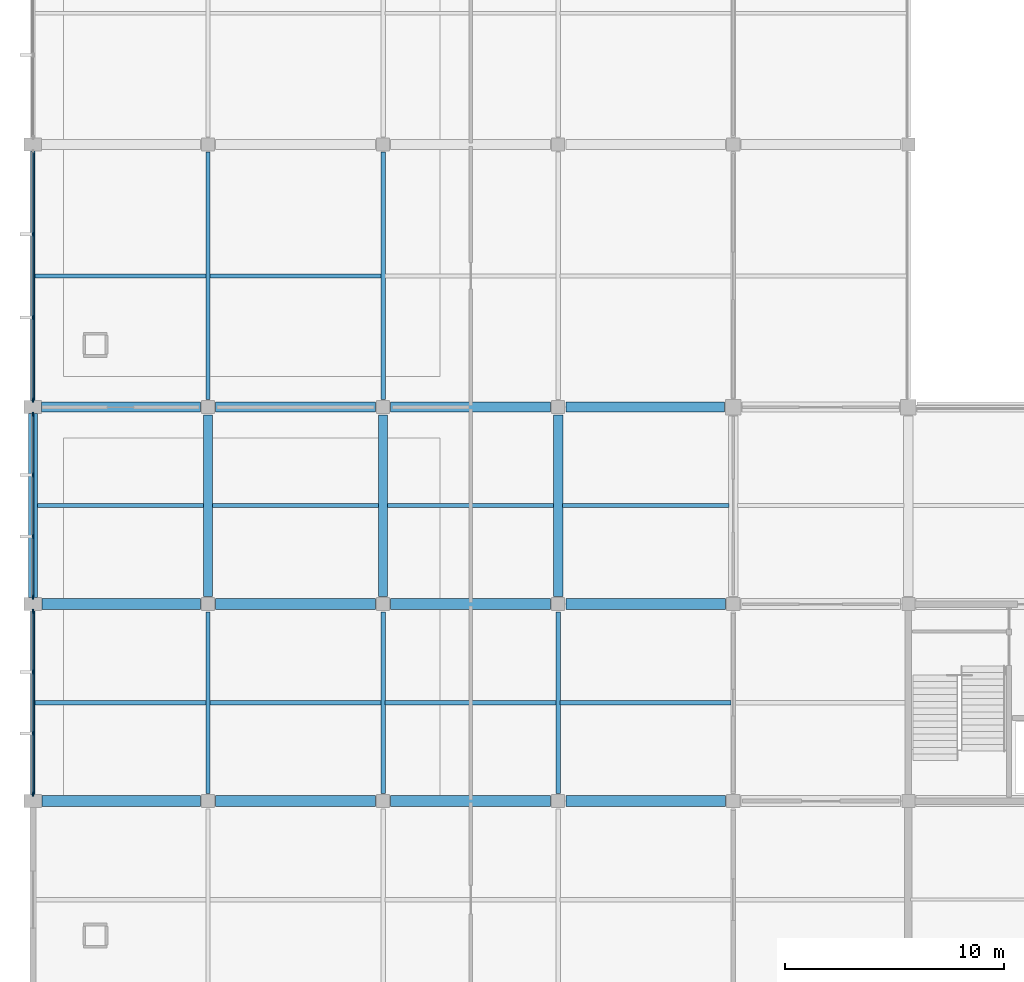
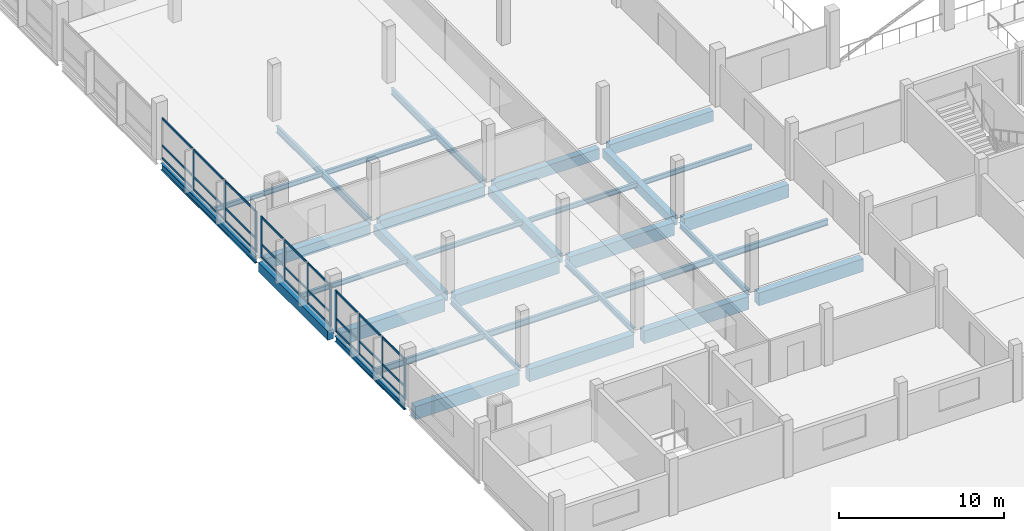
# One storey, part 7 of 57: 38 members, 33 beams, 3 elements without a shape of their own.
"""IFC4 building model written with IfcOpenShell, lengths in metres."""

from ifc_helpers import new_model, si_unit, direction, frame, origin, origin_2d, place, context, subcontext, project, spatial, rectangle, i_section, extrude, material, material_profile, profile_set, type_object, element, aggregate, save


model = new_model("IFC4")

# Units and contexts
model_context = context("Model", 3, precision=1e-05, world=origin(), true_north=direction((0.0, 1.0)))
body_context = subcontext(model_context, "Body", "Model", "MODEL_VIEW")
ifc_project = project(units=[si_unit("LENGTHUNIT", "METRE"), si_unit("AREAUNIT", "SQUARE_METRE"), si_unit("VOLUMEUNIT", "CUBIC_METRE"), si_unit("PLANEANGLEUNIT", "RADIAN"), si_unit("MASSUNIT", "GRAM", prefix="KILO"), si_unit("THERMODYNAMICTEMPERATUREUNIT", "KELVIN"), si_unit("POWERUNIT", "WATT")], contexts=[model_context])

# Site, building, storey
site_placement = place(None, origin())
site = spatial("IfcSite", under=ifc_project, at=site_placement, CompositionType="ELEMENT")
building_placement = place(site_placement, origin())
building = spatial("IfcBuilding", under=site, at=building_placement, Name="Kronsvod Quay Wholesale Market", CompositionType="ELEMENT")
storey_placement = place(building_placement, frame((0.0, 0.0, 4.800048828125)))
storey = spatial("IfcBuildingStorey", under=building, at=storey_placement, Name="L01", CompositionType="ELEMENT", Elevation=4.800048828125)

# Beams
ifc_material_1 = material(Name="Precast concrete C40/50", Category="concrete")
ifc_material_profile_1 = material_profile(ifc_material_1, rectangle(XDim=0.419921875, YDim=0.679931640625, at=origin_2d()), Name="PB-05")
ifc_profile_set_1 = profile_set([ifc_material_profile_1], Name="Precast concrete C40/50")
beam_type_1 = type_object("IfcBeamType", Name="Beam_PCB420x680", PredefinedType="BEAM", material=ifc_profile_set_1)
beam_1_placement = place(storey_placement, frame((0.0, 45.31005859375, -0.64013671875), z_axis=(0.0, 1.0, 0.0), x_axis=(-1.0, 0.0, 0.0)))
element("IfcBeam", 1, at=beam_1_placement, inside=storey, type_object=beam_type_1, Name="BMY-L01-0-450", PredefinedType="BEAM", context=body_context, shape_type="SweptSolid", body=[
    extrude(rectangle(XDim=0.419921875, YDim=0.679931640625, at=origin_2d()), origin(), (0.0, 0.0, 1.0), 8.389892578125),
])
for number, where, z_axis, x_axis, name in (
    (2, (8.0, 45.35009765625, -0.64013671875), (0.0, 1.0, 0.0), (-1.0, 0.0, 0.0), "BMY-L01-80-450"),
    (3, (16.0, 45.35009765625, -0.64013671875), (0.0, 1.0, 0.0), (-1.0, 0.0, 0.0), "BMY-L01-160-450"),
    (4, (24.0, 45.35009765625, -0.64013671875), (0.0, 1.0, 0.0), (-1.0, 0.0, 0.0), "BMY-L01-240-450"),
):
    element("IfcBeam", number, at=place(storey_placement, frame(where, z_axis=z_axis, x_axis=x_axis)), inside=storey, type_object=beam_type_1, Name=name, PredefinedType="BEAM", context=body_context, shape_type="SweptSolid", body=[
        extrude(rectangle(XDim=0.419921875, YDim=0.679931640625, at=origin_2d()), origin(), (0.0, 0.0, 1.0), 8.2998046875),
    ])
ifc_material_2 = material(Name="Precast concrete C40/50", Category="concrete")
ifc_material_profile_2 = material_profile(ifc_material_2, rectangle(XDim=0.4599609375, YDim=0.780029296875, at=origin_2d()), Name="PB-03")
ifc_profile_set_2 = profile_set([ifc_material_profile_2], Name="Precast concrete C40/50")
beam_type_2 = type_object("IfcBeamType", Name="Beam_PCB460x780", PredefinedType="BEAM", material=ifc_profile_set_2)
beam_2_placement = place(storey_placement, frame((0.39990234375, 54.0, -0.68994140625), z_axis=(1.0, 0.0, 0.0), x_axis=(0.0, 1.0, 0.0)))
element("IfcBeam", 5, at=beam_2_placement, inside=storey, type_object=beam_type_2, Name="BMX-L01-0-540", PredefinedType="BEAM", context=body_context, shape_type="SweptSolid", body=[
    extrude(rectangle(XDim=0.4599609375, YDim=0.780029296875, at=origin_2d()), origin(), (0.0, 0.0, 1.0), 7.25),
])
for number, where, z_axis, x_axis, name in (
    (6, (8.35009765625, 54.0, -0.68994140625), (1.0, 0.0, 0.0), (0.0, 1.0, 0.0), "BMX-L01-80-540"),
    (7, (16.35009765625, 54.0, -0.68994140625), (1.0, 0.0, 0.0), (0.0, 1.0, 0.0), "BMX-L01-160-540"),
):
    element("IfcBeam", number, at=place(storey_placement, frame(where, z_axis=z_axis, x_axis=x_axis)), inside=storey, type_object=beam_type_2, Name=name, PredefinedType="BEAM", context=body_context, shape_type="SweptSolid", body=[
        extrude(rectangle(XDim=0.4599609375, YDim=0.780029296875, at=origin_2d()), origin(), (0.0, 0.0, 1.0), 7.2998046875),
    ])
beam_3_placement = place(storey_placement, frame((24.35009765625, 54.0, -0.68994140625), z_axis=(1.0, 0.0, 0.0), x_axis=(0.0, 1.0, 0.0)))
element("IfcBeam", 8, at=beam_3_placement, inside=storey, type_object=beam_type_2, Name="BMX-L01-240-540", PredefinedType="BEAM", context=body_context, shape_type="SweptSolid", body=[
    extrude(rectangle(XDim=0.4599609375, YDim=0.780029296875, at=origin_2d()), origin(), (0.0, 0.0, 1.0), 7.25),
])
ifc_material_3 = material(Name="Steel S355", Category="steel")
ifc_material_profile_3 = material_profile(ifc_material_3, i_section(OverallWidth=0.199951171875, OverallDepth=0.39990234375, WebThickness=0.008056640625, FlangeThickness=0.012939453125, FilletRadius=0.01611328125, at=origin_2d()), Name="40B2")
ifc_profile_set_3 = profile_set([ifc_material_profile_3], Name="Steel S355")
beam_type_3 = type_object("IfcBeamType", Name="Beam_Steel40B2", PredefinedType="BEAM", material=ifc_profile_set_3)
beam_4_placement = place(storey_placement, frame((0.0, 36.31005859375, -0.5), z_axis=(0.0, 1.0, 0.0), x_axis=(-1.0, 0.0, 0.0)))
element("IfcBeam", 9, at=beam_4_placement, inside=storey, type_object=beam_type_3, Name="BMY-L01-0-360", PredefinedType="BEAM", context=body_context, shape_type="SweptSolid", body=[
    extrude(i_section(OverallWidth=0.199951171875, OverallDepth=0.39990234375, WebThickness=0.008056640625, FlangeThickness=0.012939453125, FilletRadius=0.01611328125, at=origin_2d()), origin(), (0.0, 0.0, 1.0), 8.3798828125),
])
for number, where, z_axis, x_axis, name in (
    (10, (8.0, 36.35009765625, -0.5), (0.0, 1.0, 0.0), (-1.0, 0.0, 0.0), "BMY-L01-80-360"),
    (11, (16.0, 36.35009765625, -0.5), (0.0, 1.0, 0.0), (-1.0, 0.0, 0.0), "BMY-L01-160-360"),
    (12, (24.0, 36.35009765625, -0.5), (0.0, 1.0, 0.0), (-1.0, 0.0, 0.0), "BMY-L01-240-360"),
):
    element("IfcBeam", number, at=place(storey_placement, frame(where, z_axis=z_axis, x_axis=x_axis)), inside=storey, type_object=beam_type_3, Name=name, PredefinedType="BEAM", context=body_context, shape_type="SweptSolid", body=[
        extrude(i_section(OverallWidth=0.199951171875, OverallDepth=0.39990234375, WebThickness=0.008056640625, FlangeThickness=0.012939453125, FilletRadius=0.01611328125, at=origin_2d()), origin(), (0.0, 0.0, 1.0), 8.2998046875),
    ])
ifc_material_4 = material(Name="Steel S355", Category="steel")
ifc_material_profile_4 = material_profile(ifc_material_4, i_section(OverallWidth=0.199951171875, OverallDepth=0.449951171875, WebThickness=0.009033203125, FlangeThickness=0.013916015625, FilletRadius=0.01806640625, at=origin_2d()), Name="45B2")
ifc_profile_set_4 = profile_set([ifc_material_profile_4], Name="Steel S355")
beam_type_4 = type_object("IfcBeamType", Name="Beam_Steel45B2", PredefinedType="BEAM", material=ifc_profile_set_4)
for number, where, z_axis, x_axis, name in (
    (13, (0.094970703125, 40.5, -0.525146484375), (1.0, 0.0, 0.0), (0.0, 1.0, 0.0), "JSTX-L01-0-360"),
    (14, (8.094970703125, 40.5, -0.525146484375), (1.0, 0.0, 0.0), (0.0, 1.0, 0.0), "JSTX-L01-80-360"),
    (15, (16.094970703125, 40.5, -0.525146484375), (1.0, 0.0, 0.0), (0.0, 1.0, 0.0), "JSTX-L01-160-360"),
    (16, (24.094970703125, 40.5, -0.525146484375), (1.0, 0.0, 0.0), (0.0, 1.0, 0.0), "JSTX-L01-240-360"),
):
    element("IfcBeam", number, at=place(storey_placement, frame(where, z_axis=z_axis, x_axis=x_axis)), inside=storey, type_object=beam_type_4, Name=name, PredefinedType="BEAM", context=body_context, shape_type="SweptSolid", body=[
        extrude(i_section(OverallWidth=0.199951171875, OverallDepth=0.449951171875, WebThickness=0.009033203125, FlangeThickness=0.013916015625, FilletRadius=0.01806640625, at=origin_2d()), origin(), (0.0, 0.0, 1.0), 7.81005859375),
    ])
ifc_material_5 = material(Name="Precast concrete C40/50", Category="concrete")
ifc_material_profile_5 = material_profile(ifc_material_5, rectangle(XDim=0.5, YDim=0.949951171875, at=origin_2d()), Name="PCB500x950")
ifc_profile_set_5 = profile_set([ifc_material_profile_5], Name="Precast concrete C40/50")
beam_type_5 = type_object("IfcBeamType", Name="Girder_PCB500x950", PredefinedType="T_BEAM", material=ifc_profile_set_5)
beam_5_placement = place(storey_placement, frame((0.409912109375, 36.0, -0.775146484375), z_axis=(1.0, 0.0, 0.0), x_axis=(0.0, 1.0, 0.0)))
element("IfcBeam", 17, at=beam_5_placement, inside=storey, type_object=beam_type_5, Name="BMX-L01-0-360", PredefinedType="T_BEAM", context=body_context, shape_type="SweptSolid", body=[
    extrude(rectangle(XDim=0.5, YDim=0.949951171875, at=origin_2d()), origin(), (0.0, 0.0, 1.0), 7.239990234375),
])
for number, where, z_axis, x_axis, name in (
    (18, (8.35009765625, 36.0, -0.775146484375), (1.0, 0.0, 0.0), (0.0, 1.0, 0.0), "BMX-L01-80-360"),
    (19, (16.35009765625, 36.0, -0.775146484375), (1.0, 0.0, 0.0), (0.0, 1.0, 0.0), "BMX-L01-160-360"),
    (20, (24.35009765625, 36.0, -0.775146484375), (1.0, 0.0, 0.0), (0.0, 1.0, 0.0), "BMX-L01-240-360"),
):
    element("IfcBeam", number, at=place(storey_placement, frame(where, z_axis=z_axis, x_axis=x_axis)), inside=storey, type_object=beam_type_5, Name=name, PredefinedType="T_BEAM", context=body_context, shape_type="SweptSolid", body=[
        extrude(rectangle(XDim=0.5, YDim=0.949951171875, at=origin_2d()), origin(), (0.0, 0.0, 1.0), 7.2998046875),
    ])
beam_6_placement = place(storey_placement, frame((0.409912109375, 45.0, -0.775146484375), z_axis=(1.0, 0.0, 0.0), x_axis=(0.0, 1.0, 0.0)))
element("IfcBeam", 21, at=beam_6_placement, inside=storey, type_object=beam_type_5, Name="BMX-L01-0-450", PredefinedType="T_BEAM", context=body_context, shape_type="SweptSolid", body=[
    extrude(rectangle(XDim=0.5, YDim=0.949951171875, at=origin_2d()), origin(), (0.0, 0.0, 1.0), 7.239990234375),
])
for number, where, z_axis, x_axis, name in (
    (22, (8.35009765625, 45.0, -0.775146484375), (1.0, 0.0, 0.0), (0.0, 1.0, 0.0), "BMX-L01-80-450"),
    (23, (16.35009765625, 45.0, -0.775146484375), (1.0, 0.0, 0.0), (0.0, 1.0, 0.0), "BMX-L01-160-450"),
    (24, (24.35009765625, 45.0, -0.775146484375), (1.0, 0.0, 0.0), (0.0, 1.0, 0.0), "BMX-L01-240-450"),
):
    element("IfcBeam", number, at=place(storey_placement, frame(where, z_axis=z_axis, x_axis=x_axis)), inside=storey, type_object=beam_type_5, Name=name, PredefinedType="T_BEAM", context=body_context, shape_type="SweptSolid", body=[
        extrude(rectangle(XDim=0.5, YDim=0.949951171875, at=origin_2d()), origin(), (0.0, 0.0, 1.0), 7.2998046875),
    ])
ifc_material_6 = material(Name="Steel S355", Category="steel")
ifc_material_profile_6 = material_profile(ifc_material_6, i_section(OverallWidth=0.198974609375, OverallDepth=0.49609375, WebThickness=0.009033203125, FlangeThickness=0.013916015625, FilletRadius=0.02001953125, at=origin_2d()), Name="50B1")
ifc_profile_set_6 = profile_set([ifc_material_profile_6], Name="Steel S355")
beam_type_6 = type_object("IfcBeamType", Name="Girder_Steel50B1", PredefinedType="T_BEAM", material=ifc_profile_set_6)
beam_7_placement = place(storey_placement, frame((0.0, 54.300048828125, -0.548095703125), z_axis=(0.0, 1.0, 0.0), x_axis=(-1.0, 0.0, 0.0)))
element("IfcBeam", 25, at=beam_7_placement, inside=storey, type_object=beam_type_6, Name="BMY-L01-0-540", PredefinedType="T_BEAM", context=body_context, shape_type="SweptSolid", body=[
    extrude(i_section(OverallWidth=0.198974609375, OverallDepth=0.49609375, WebThickness=0.009033203125, FlangeThickness=0.013916015625, FilletRadius=0.02001953125, at=origin_2d()), origin(), (0.0, 0.0, 1.0), 11.39990234375),
])
for number, where, z_axis, x_axis, name in (
    (26, (8.0, 54.35009765625, -0.548095703125), (0.0, 1.0, 0.0), (-1.0, 0.0, 0.0), "BMY-L01-80-540"),
    (27, (16.0, 54.35009765625, -0.548095703125), (0.0, 1.0, 0.0), (-1.0, 0.0, 0.0), "BMY-L01-160-540"),
):
    element("IfcBeam", number, at=place(storey_placement, frame(where, z_axis=z_axis, x_axis=x_axis)), inside=storey, type_object=beam_type_6, Name=name, PredefinedType="T_BEAM", context=body_context, shape_type="SweptSolid", body=[
        extrude(i_section(OverallWidth=0.198974609375, OverallDepth=0.49609375, WebThickness=0.009033203125, FlangeThickness=0.013916015625, FilletRadius=0.02001953125, at=origin_2d()), origin(), (0.0, 0.0, 1.0), 11.2998046875),
    ])
ifc_material_7 = material(Name="Steel S355", Category="steel")
ifc_material_profile_7 = material_profile(ifc_material_7, i_section(OverallWidth=0.175048828125, OverallDepth=0.35009765625, WebThickness=0.007080078125, FlangeThickness=0.010986328125, FilletRadius=0.013916015625, at=origin_2d()), Name="35B2")
ifc_profile_set_7 = profile_set([ifc_material_profile_7], Name="Steel S355")
beam_type_7 = type_object("IfcBeamType", Name="Joist_Steel35B2", PredefinedType="JOIST", material=ifc_profile_set_7)
beam_8_placement = place(storey_placement, frame((0.205078125, 49.5, -0.405029296875), z_axis=(1.0, 0.0, 0.0), x_axis=(0.0, 1.0, 0.0)))
element("IfcBeam", 28, at=beam_8_placement, inside=storey, type_object=beam_type_7, Name="JSTX-L01-0-450", PredefinedType="JOIST", context=body_context, shape_type="SweptSolid", body=[
    extrude(i_section(OverallWidth=0.175048828125, OverallDepth=0.35009765625, WebThickness=0.007080078125, FlangeThickness=0.010986328125, FilletRadius=0.013916015625, at=origin_2d()), origin(), (0.0, 0.0, 1.0), 7.58984375),
])
beam_9_placement = place(storey_placement, frame((0.094482421875, 60.0, -0.425048828125), z_axis=(1.0, 0.0, 0.0), x_axis=(0.0, 1.0, 0.0)))
element("IfcBeam", 29, at=beam_9_placement, inside=storey, type_object=beam_type_7, Name="JSTX-L01-0-540", PredefinedType="JOIST", context=body_context, shape_type="SweptSolid", body=[
    extrude(i_section(OverallWidth=0.175048828125, OverallDepth=0.35009765625, WebThickness=0.007080078125, FlangeThickness=0.010986328125, FilletRadius=0.013916015625, at=origin_2d()), origin(), (0.0, 0.0, 1.0), 7.81103515625),
])
beam_10_placement = place(storey_placement, frame((8.205078125, 49.5, -0.405029296875), z_axis=(1.0, 0.0, 0.0), x_axis=(0.0, 1.0, 0.0)))
element("IfcBeam", 30, at=beam_10_placement, inside=storey, type_object=beam_type_7, Name="JSTX-L01-80-450", PredefinedType="JOIST", context=body_context, shape_type="SweptSolid", body=[
    extrude(i_section(OverallWidth=0.175048828125, OverallDepth=0.35009765625, WebThickness=0.007080078125, FlangeThickness=0.010986328125, FilletRadius=0.013916015625, at=origin_2d()), origin(), (0.0, 0.0, 1.0), 7.58984375),
])
beam_11_placement = place(storey_placement, frame((8.094482421875, 60.0, -0.425048828125), z_axis=(1.0, 0.0, 0.0), x_axis=(0.0, 1.0, 0.0)))
element("IfcBeam", 31, at=beam_11_placement, inside=storey, type_object=beam_type_7, Name="JSTX-L01-80-540", PredefinedType="JOIST", context=body_context, shape_type="SweptSolid", body=[
    extrude(i_section(OverallWidth=0.175048828125, OverallDepth=0.35009765625, WebThickness=0.007080078125, FlangeThickness=0.010986328125, FilletRadius=0.013916015625, at=origin_2d()), origin(), (0.0, 0.0, 1.0), 7.81103515625),
])
for number, where, z_axis, x_axis, name in (
    (32, (16.205078125, 49.5, -0.405029296875), (1.0, 0.0, 0.0), (0.0, 1.0, 0.0), "JSTX-L01-160-450"),
    (33, (24.205078125, 49.5, -0.405029296875), (1.0, 0.0, 0.0), (0.0, 1.0, 0.0), "JSTX-L01-240-450"),
):
    element("IfcBeam", number, at=place(storey_placement, frame(where, z_axis=z_axis, x_axis=x_axis)), inside=storey, type_object=beam_type_7, Name=name, PredefinedType="JOIST", context=body_context, shape_type="SweptSolid", body=[
        extrude(i_section(OverallWidth=0.175048828125, OverallDepth=0.35009765625, WebThickness=0.007080078125, FlangeThickness=0.010986328125, FilletRadius=0.013916015625, at=origin_2d()), origin(), (0.0, 0.0, 1.0), 7.58984375),
    ])

# Curtain wall, members
ifc_material_8 = material(Name="Thermally broken aluminium and triple low-E glazing", Category="aluminium")
curtain_wall_type_1 = type_object("IfcCurtainWallType", Name="CW_Wing90x33", PredefinedType="NOTDEFINED", material=ifc_material_8)
curtain_wall_1_placement = place(storey_placement, origin())
curtain_wall_1 = element("IfcCurtainWall", 34, at=curtain_wall_1_placement, inside=storey, type_object=curtain_wall_type_1, Name="CWGY-L01-0-360", PredefinedType="NOTDEFINED")
ifc_material_9 = material(Name="Anodised aluminium", Category="aluminium")
ifc_material_profile_8 = material_profile(ifc_material_9, rectangle(XDim=0.074951171875, YDim=0.199951171875, at=origin_2d()), Name="ALUM75x200")
ifc_profile_set_8 = profile_set([ifc_material_profile_8], Name="Anodised aluminium")
member_type_1 = type_object("IfcMemberType", Name="Mullion_ALU75x200", PredefinedType="MULLION", material=ifc_profile_set_8)
member_1_placement = place(storey_placement, frame((0.0, 44.66748046875, 0.0), z_axis=(0.0, 0.0, 1.0), x_axis=(1.0, 0.0, 0.0)))
member_1 = element("IfcMember", 35, at=member_1_placement, type_object=member_type_1, Name="CWGY-L01-0-360-M1", PredefinedType="MULLION", context=body_context, shape_type="SweptSolid", body=[
    extrude(rectangle(XDim=0.074951171875, YDim=0.199951171875, at=origin_2d()), origin(), (0.0, 0.0, 1.0), 3.050048828125),
])
member_2_placement = place(storey_placement, frame((0.0, 41.901611328125, 0.0), z_axis=(0.0, 0.0, 1.0), x_axis=(1.0, 0.0, 0.0)))
member_2 = element("IfcMember", 36, at=member_2_placement, type_object=member_type_1, Name="CWGY-L01-0-360-M2", PredefinedType="MULLION", context=body_context, shape_type="SweptSolid", body=[
    extrude(rectangle(XDim=0.074951171875, YDim=0.199951171875, at=origin_2d()), origin(), (0.0, 0.0, 1.0), 3.050048828125),
])
member_3_placement = place(storey_placement, frame((0.0, 39.098388671875, 0.0), z_axis=(0.0, 0.0, 1.0), x_axis=(1.0, 0.0, 0.0)))
member_3 = element("IfcMember", 37, at=member_3_placement, type_object=member_type_1, Name="CWGY-L01-0-360-M3", PredefinedType="MULLION", context=body_context, shape_type="SweptSolid", body=[
    extrude(rectangle(XDim=0.074951171875, YDim=0.199951171875, at=origin_2d()), origin(), (0.0, 0.0, 1.0), 3.050048828125),
])
member_4_placement = place(storey_placement, frame((0.0, 36.33251953125, 0.0), z_axis=(0.0, 0.0, 1.0), x_axis=(1.0, 0.0, 0.0)))
member_4 = element("IfcMember", 38, at=member_4_placement, type_object=member_type_1, Name="CWGY-L01-0-360-M4", PredefinedType="MULLION", context=body_context, shape_type="SweptSolid", body=[
    extrude(rectangle(XDim=0.074951171875, YDim=0.199951171875, at=origin_2d()), origin(), (0.0, 0.0, 1.0), 3.050048828125),
])

curtain_wall_2_placement = place(storey_placement, origin())
curtain_wall_2 = element("IfcCurtainWall", 39, at=curtain_wall_2_placement, inside=storey, type_object=curtain_wall_type_1, Name="CWGY-L01-0-450", PredefinedType="NOTDEFINED")
member_5_placement = place(storey_placement, frame((0.0, 53.66748046875, 0.0), z_axis=(0.0, 0.0, 1.0), x_axis=(1.0, 0.0, 0.0)))
member_5 = element("IfcMember", 40, at=member_5_placement, type_object=member_type_1, Name="CWGY-L01-0-450-M1", PredefinedType="MULLION", context=body_context, shape_type="SweptSolid", body=[
    extrude(rectangle(XDim=0.074951171875, YDim=0.199951171875, at=origin_2d()), origin(), (0.0, 0.0, 1.0), 3.050048828125),
])
member_6_placement = place(storey_placement, frame((0.0, 50.901611328125, 0.0), z_axis=(0.0, 0.0, 1.0), x_axis=(1.0, 0.0, 0.0)))
member_6 = element("IfcMember", 41, at=member_6_placement, type_object=member_type_1, Name="CWGY-L01-0-450-M2", PredefinedType="MULLION", context=body_context, shape_type="SweptSolid", body=[
    extrude(rectangle(XDim=0.074951171875, YDim=0.199951171875, at=origin_2d()), origin(), (0.0, 0.0, 1.0), 3.050048828125),
])
member_7_placement = place(storey_placement, frame((0.0, 48.098388671875, 0.0), z_axis=(0.0, 0.0, 1.0), x_axis=(1.0, 0.0, 0.0)))
member_7 = element("IfcMember", 42, at=member_7_placement, type_object=member_type_1, Name="CWGY-L01-0-450-M3", PredefinedType="MULLION", context=body_context, shape_type="SweptSolid", body=[
    extrude(rectangle(XDim=0.074951171875, YDim=0.199951171875, at=origin_2d()), origin(), (0.0, 0.0, 1.0), 3.050048828125),
])
member_8_placement = place(storey_placement, frame((0.0, 45.33251953125, 0.0), z_axis=(0.0, 0.0, 1.0), x_axis=(1.0, 0.0, 0.0)))
member_8 = element("IfcMember", 43, at=member_8_placement, type_object=member_type_1, Name="CWGY-L01-0-450-M4", PredefinedType="MULLION", context=body_context, shape_type="SweptSolid", body=[
    extrude(rectangle(XDim=0.074951171875, YDim=0.199951171875, at=origin_2d()), origin(), (0.0, 0.0, 1.0), 3.050048828125),
])

ifc_material_10 = material(Name="Thermally broken aluminium and triple low-E glazing", Category="aluminium")
curtain_wall_type_2 = type_object("IfcCurtainWallType", Name="CW_WestLab90x37", PredefinedType="NOTDEFINED", material=ifc_material_10)
curtain_wall_3_placement = place(storey_placement, origin())
curtain_wall_3 = element("IfcCurtainWall", 44, at=curtain_wall_3_placement, inside=storey, type_object=curtain_wall_type_2, Name="CWGY-L01-0-540", PredefinedType="NOTDEFINED")
member_9_placement = place(storey_placement, frame((0.0, 61.901611328125, 0.0), z_axis=(0.0, 0.0, 1.0), x_axis=(1.0, 0.0, 0.0)))
member_9 = element("IfcMember", 45, at=member_9_placement, type_object=member_type_1, Name="CWGY-L01-0-540-M2", PredefinedType="MULLION", context=body_context, shape_type="SweptSolid", body=[
    extrude(rectangle(XDim=0.074951171875, YDim=0.199951171875, at=origin_2d()), origin(), (0.0, 0.0, 1.0), 3.050048828125),
])
member_10_placement = place(storey_placement, frame((0.0, 58.098388671875, 0.0), z_axis=(0.0, 0.0, 1.0), x_axis=(1.0, 0.0, 0.0)))
member_10 = element("IfcMember", 46, at=member_10_placement, type_object=member_type_1, Name="CWGY-L01-0-540-M3", PredefinedType="MULLION", context=body_context, shape_type="SweptSolid", body=[
    extrude(rectangle(XDim=0.074951171875, YDim=0.199951171875, at=origin_2d()), origin(), (0.0, 0.0, 1.0), 3.050048828125),
])
member_11_placement = place(storey_placement, frame((0.0, 54.33251953125, 0.0), z_axis=(0.0, 0.0, 1.0), x_axis=(1.0, 0.0, 0.0)))
member_11 = element("IfcMember", 47, at=member_11_placement, type_object=member_type_1, Name="CWGY-L01-0-540-M4", PredefinedType="MULLION", context=body_context, shape_type="SweptSolid", body=[
    extrude(rectangle(XDim=0.074951171875, YDim=0.199951171875, at=origin_2d()), origin(), (0.0, 0.0, 1.0), 3.050048828125),
])

# Member
ifc_material_11 = material(Name="Anodised aluminium", Category="aluminium")
ifc_material_profile_9 = material_profile(ifc_material_11, rectangle(XDim=0.074951171875, YDim=0.14990234375, at=origin_2d()), Name="ALUT75x150")
ifc_profile_set_9 = profile_set([ifc_material_profile_9], Name="Anodised aluminium")
member_type_2 = type_object("IfcMemberType", Name="Transom_ALU75x150", PredefinedType="USERDEFINED", material=ifc_profile_set_9)
member_12_placement = place(storey_placement, frame((0.0, 44.6298828125, 0.074951171875), z_axis=(0.0, -1.0, 0.0), x_axis=(1.0, 0.0, 0.0)))
member_12 = element("IfcMember", 48, at=member_12_placement, type_object=member_type_2, Name="CWGY-L01-0-360-T1B1", ObjectType="TRANSOM", PredefinedType="USERDEFINED", context=body_context, shape_type="SweptSolid", body=[
    extrude(rectangle(XDim=0.074951171875, YDim=0.14990234375, at=origin_2d()), origin(), (0.0, 0.0, 1.0), 2.690673828125),
])

member_13_placement = place(storey_placement, frame((0.0, 41.8642578125, 0.074951171875), z_axis=(0.0, -1.0, 0.0), x_axis=(1.0, 0.0, 0.0)))
member_13 = element("IfcMember", 49, at=member_13_placement, type_object=member_type_2, Name="CWGY-L01-0-360-T1B2", ObjectType="TRANSOM", PredefinedType="USERDEFINED", context=body_context, shape_type="SweptSolid", body=[
    extrude(rectangle(XDim=0.074951171875, YDim=0.14990234375, at=origin_2d()), origin(), (0.0, 0.0, 1.0), 2.728515625),
])

member_14_placement = place(storey_placement, frame((0.0, 39.060791015625, 0.074951171875), z_axis=(0.0, -1.0, 0.0), x_axis=(1.0, 0.0, 0.0)))
member_14 = element("IfcMember", 50, at=member_14_placement, type_object=member_type_2, Name="CWGY-L01-0-360-T1B3", ObjectType="TRANSOM", PredefinedType="USERDEFINED", context=body_context, shape_type="SweptSolid", body=[
    extrude(rectangle(XDim=0.074951171875, YDim=0.14990234375, at=origin_2d()), origin(), (0.0, 0.0, 1.0), 2.690673828125),
])

member_15_placement = place(storey_placement, frame((0.0, 44.6298828125, 1.0), z_axis=(0.0, -1.0, 0.0), x_axis=(1.0, 0.0, 0.0)))
member_15 = element("IfcMember", 51, at=member_15_placement, type_object=member_type_2, Name="CWGY-L01-0-360-T2B1", ObjectType="TRANSOM", PredefinedType="USERDEFINED", context=body_context, shape_type="SweptSolid", body=[
    extrude(rectangle(XDim=0.074951171875, YDim=0.14990234375, at=origin_2d()), origin(), (0.0, 0.0, 1.0), 2.690673828125),
])

member_16_placement = place(storey_placement, frame((0.0, 41.8642578125, 1.0), z_axis=(0.0, -1.0, 0.0), x_axis=(1.0, 0.0, 0.0)))
member_16 = element("IfcMember", 52, at=member_16_placement, type_object=member_type_2, Name="CWGY-L01-0-360-T2B2", ObjectType="TRANSOM", PredefinedType="USERDEFINED", context=body_context, shape_type="SweptSolid", body=[
    extrude(rectangle(XDim=0.074951171875, YDim=0.14990234375, at=origin_2d()), origin(), (0.0, 0.0, 1.0), 2.728515625),
])

member_17_placement = place(storey_placement, frame((0.0, 39.060791015625, 1.0), z_axis=(0.0, -1.0, 0.0), x_axis=(1.0, 0.0, 0.0)))
member_17 = element("IfcMember", 53, at=member_17_placement, type_object=member_type_2, Name="CWGY-L01-0-360-T2B3", ObjectType="TRANSOM", PredefinedType="USERDEFINED", context=body_context, shape_type="SweptSolid", body=[
    extrude(rectangle(XDim=0.074951171875, YDim=0.14990234375, at=origin_2d()), origin(), (0.0, 0.0, 1.0), 2.690673828125),
])

member_18_placement = place(storey_placement, frame((0.0, 44.6298828125, 2.974853515625), z_axis=(0.0, -1.0, 0.0), x_axis=(1.0, 0.0, 0.0)))
member_18 = element("IfcMember", 54, at=member_18_placement, type_object=member_type_2, Name="CWGY-L01-0-360-T3B1", ObjectType="TRANSOM", PredefinedType="USERDEFINED", context=body_context, shape_type="SweptSolid", body=[
    extrude(rectangle(XDim=0.074951171875, YDim=0.14990234375, at=origin_2d()), origin(), (0.0, 0.0, 1.0), 2.690673828125),
])

member_19_placement = place(storey_placement, frame((0.0, 41.8642578125, 2.974853515625), z_axis=(0.0, -1.0, 0.0), x_axis=(1.0, 0.0, 0.0)))
member_19 = element("IfcMember", 55, at=member_19_placement, type_object=member_type_2, Name="CWGY-L01-0-360-T3B2", ObjectType="TRANSOM", PredefinedType="USERDEFINED", context=body_context, shape_type="SweptSolid", body=[
    extrude(rectangle(XDim=0.074951171875, YDim=0.14990234375, at=origin_2d()), origin(), (0.0, 0.0, 1.0), 2.728515625),
])

member_20_placement = place(storey_placement, frame((0.0, 39.060791015625, 2.974853515625), z_axis=(0.0, -1.0, 0.0), x_axis=(1.0, 0.0, 0.0)))
member_20 = element("IfcMember", 56, at=member_20_placement, type_object=member_type_2, Name="CWGY-L01-0-360-T3B3", ObjectType="TRANSOM", PredefinedType="USERDEFINED", context=body_context, shape_type="SweptSolid", body=[
    extrude(rectangle(XDim=0.074951171875, YDim=0.14990234375, at=origin_2d()), origin(), (0.0, 0.0, 1.0), 2.690673828125),
])

aggregate(curtain_wall_1, [member_1, member_2, member_3, member_4, member_12, member_13, member_14, member_15, member_16, member_17, member_18, member_19, member_20])

member_21_placement = place(storey_placement, frame((0.0, 53.6298828125, 0.074951171875), z_axis=(0.0, -1.0, 0.0), x_axis=(1.0, 0.0, 0.0)))
member_21 = element("IfcMember", 57, at=member_21_placement, type_object=member_type_2, Name="CWGY-L01-0-450-T1B1", ObjectType="TRANSOM", PredefinedType="USERDEFINED", context=body_context, shape_type="SweptSolid", body=[
    extrude(rectangle(XDim=0.074951171875, YDim=0.14990234375, at=origin_2d()), origin(), (0.0, 0.0, 1.0), 2.690673828125),
])

member_22_placement = place(storey_placement, frame((0.0, 50.8642578125, 0.074951171875), z_axis=(0.0, -1.0, 0.0), x_axis=(1.0, 0.0, 0.0)))
member_22 = element("IfcMember", 58, at=member_22_placement, type_object=member_type_2, Name="CWGY-L01-0-450-T1B2", ObjectType="TRANSOM", PredefinedType="USERDEFINED", context=body_context, shape_type="SweptSolid", body=[
    extrude(rectangle(XDim=0.074951171875, YDim=0.14990234375, at=origin_2d()), origin(), (0.0, 0.0, 1.0), 2.728515625),
])

member_23_placement = place(storey_placement, frame((0.0, 48.060791015625, 0.074951171875), z_axis=(0.0, -1.0, 0.0), x_axis=(1.0, 0.0, 0.0)))
member_23 = element("IfcMember", 59, at=member_23_placement, type_object=member_type_2, Name="CWGY-L01-0-450-T1B3", ObjectType="TRANSOM", PredefinedType="USERDEFINED", context=body_context, shape_type="SweptSolid", body=[
    extrude(rectangle(XDim=0.074951171875, YDim=0.14990234375, at=origin_2d()), origin(), (0.0, 0.0, 1.0), 2.690673828125),
])

member_24_placement = place(storey_placement, frame((0.0, 53.6298828125, 1.0), z_axis=(0.0, -1.0, 0.0), x_axis=(1.0, 0.0, 0.0)))
member_24 = element("IfcMember", 60, at=member_24_placement, type_object=member_type_2, Name="CWGY-L01-0-450-T2B1", ObjectType="TRANSOM", PredefinedType="USERDEFINED", context=body_context, shape_type="SweptSolid", body=[
    extrude(rectangle(XDim=0.074951171875, YDim=0.14990234375, at=origin_2d()), origin(), (0.0, 0.0, 1.0), 2.690673828125),
])

member_25_placement = place(storey_placement, frame((0.0, 50.8642578125, 1.0), z_axis=(0.0, -1.0, 0.0), x_axis=(1.0, 0.0, 0.0)))
member_25 = element("IfcMember", 61, at=member_25_placement, type_object=member_type_2, Name="CWGY-L01-0-450-T2B2", ObjectType="TRANSOM", PredefinedType="USERDEFINED", context=body_context, shape_type="SweptSolid", body=[
    extrude(rectangle(XDim=0.074951171875, YDim=0.14990234375, at=origin_2d()), origin(), (0.0, 0.0, 1.0), 2.728515625),
])

member_26_placement = place(storey_placement, frame((0.0, 48.060791015625, 1.0), z_axis=(0.0, -1.0, 0.0), x_axis=(1.0, 0.0, 0.0)))
member_26 = element("IfcMember", 62, at=member_26_placement, type_object=member_type_2, Name="CWGY-L01-0-450-T2B3", ObjectType="TRANSOM", PredefinedType="USERDEFINED", context=body_context, shape_type="SweptSolid", body=[
    extrude(rectangle(XDim=0.074951171875, YDim=0.14990234375, at=origin_2d()), origin(), (0.0, 0.0, 1.0), 2.690673828125),
])

member_27_placement = place(storey_placement, frame((0.0, 53.6298828125, 2.974853515625), z_axis=(0.0, -1.0, 0.0), x_axis=(1.0, 0.0, 0.0)))
member_27 = element("IfcMember", 63, at=member_27_placement, type_object=member_type_2, Name="CWGY-L01-0-450-T3B1", ObjectType="TRANSOM", PredefinedType="USERDEFINED", context=body_context, shape_type="SweptSolid", body=[
    extrude(rectangle(XDim=0.074951171875, YDim=0.14990234375, at=origin_2d()), origin(), (0.0, 0.0, 1.0), 2.690673828125),
])

member_28_placement = place(storey_placement, frame((0.0, 50.8642578125, 2.974853515625), z_axis=(0.0, -1.0, 0.0), x_axis=(1.0, 0.0, 0.0)))
member_28 = element("IfcMember", 64, at=member_28_placement, type_object=member_type_2, Name="CWGY-L01-0-450-T3B2", ObjectType="TRANSOM", PredefinedType="USERDEFINED", context=body_context, shape_type="SweptSolid", body=[
    extrude(rectangle(XDim=0.074951171875, YDim=0.14990234375, at=origin_2d()), origin(), (0.0, 0.0, 1.0), 2.728515625),
])

member_29_placement = place(storey_placement, frame((0.0, 48.060791015625, 2.974853515625), z_axis=(0.0, -1.0, 0.0), x_axis=(1.0, 0.0, 0.0)))
member_29 = element("IfcMember", 65, at=member_29_placement, type_object=member_type_2, Name="CWGY-L01-0-450-T3B3", ObjectType="TRANSOM", PredefinedType="USERDEFINED", context=body_context, shape_type="SweptSolid", body=[
    extrude(rectangle(XDim=0.074951171875, YDim=0.14990234375, at=origin_2d()), origin(), (0.0, 0.0, 1.0), 2.690673828125),
])

aggregate(curtain_wall_2, [member_5, member_6, member_7, member_8, member_21, member_22, member_23, member_24, member_25, member_26, member_27, member_28, member_29])

member_30_placement = place(storey_placement, frame((0.0, 65.6298828125, 0.074951171875), z_axis=(0.0, -1.0, 0.0), x_axis=(1.0, 0.0, 0.0)))
member_30 = element("IfcMember", 66, at=member_30_placement, type_object=member_type_2, Name="CWGY-L01-0-540-T1B1", ObjectType="TRANSOM", PredefinedType="USERDEFINED", context=body_context, shape_type="SweptSolid", body=[
    extrude(rectangle(XDim=0.074951171875, YDim=0.14990234375, at=origin_2d()), origin(), (0.0, 0.0, 1.0), 3.690673828125),
])

member_31_placement = place(storey_placement, frame((0.0, 61.8642578125, 0.074951171875), z_axis=(0.0, -1.0, 0.0), x_axis=(1.0, 0.0, 0.0)))
member_31 = element("IfcMember", 67, at=member_31_placement, type_object=member_type_2, Name="CWGY-L01-0-540-T1B2", ObjectType="TRANSOM", PredefinedType="USERDEFINED", context=body_context, shape_type="SweptSolid", body=[
    extrude(rectangle(XDim=0.074951171875, YDim=0.14990234375, at=origin_2d()), origin(), (0.0, 0.0, 1.0), 3.728515625),
])

member_32_placement = place(storey_placement, frame((0.0, 58.060791015625, 0.074951171875), z_axis=(0.0, -1.0, 0.0), x_axis=(1.0, 0.0, 0.0)))
member_32 = element("IfcMember", 68, at=member_32_placement, type_object=member_type_2, Name="CWGY-L01-0-540-T1B3", ObjectType="TRANSOM", PredefinedType="USERDEFINED", context=body_context, shape_type="SweptSolid", body=[
    extrude(rectangle(XDim=0.074951171875, YDim=0.14990234375, at=origin_2d()), origin(), (0.0, 0.0, 1.0), 3.690673828125),
])

member_33_placement = place(storey_placement, frame((0.0, 65.6298828125, 1.0), z_axis=(0.0, -1.0, 0.0), x_axis=(1.0, 0.0, 0.0)))
member_33 = element("IfcMember", 69, at=member_33_placement, type_object=member_type_2, Name="CWGY-L01-0-540-T2B1", ObjectType="TRANSOM", PredefinedType="USERDEFINED", context=body_context, shape_type="SweptSolid", body=[
    extrude(rectangle(XDim=0.074951171875, YDim=0.14990234375, at=origin_2d()), origin(), (0.0, 0.0, 1.0), 3.690673828125),
])

member_34_placement = place(storey_placement, frame((0.0, 61.8642578125, 1.0), z_axis=(0.0, -1.0, 0.0), x_axis=(1.0, 0.0, 0.0)))
member_34 = element("IfcMember", 70, at=member_34_placement, type_object=member_type_2, Name="CWGY-L01-0-540-T2B2", ObjectType="TRANSOM", PredefinedType="USERDEFINED", context=body_context, shape_type="SweptSolid", body=[
    extrude(rectangle(XDim=0.074951171875, YDim=0.14990234375, at=origin_2d()), origin(), (0.0, 0.0, 1.0), 3.728515625),
])

member_35_placement = place(storey_placement, frame((0.0, 58.060791015625, 1.0), z_axis=(0.0, -1.0, 0.0), x_axis=(1.0, 0.0, 0.0)))
member_35 = element("IfcMember", 71, at=member_35_placement, type_object=member_type_2, Name="CWGY-L01-0-540-T2B3", ObjectType="TRANSOM", PredefinedType="USERDEFINED", context=body_context, shape_type="SweptSolid", body=[
    extrude(rectangle(XDim=0.074951171875, YDim=0.14990234375, at=origin_2d()), origin(), (0.0, 0.0, 1.0), 3.690673828125),
])

member_36_placement = place(storey_placement, frame((0.0, 65.6298828125, 2.974853515625), z_axis=(0.0, -1.0, 0.0), x_axis=(1.0, 0.0, 0.0)))
member_36 = element("IfcMember", 72, at=member_36_placement, type_object=member_type_2, Name="CWGY-L01-0-540-T3B1", ObjectType="TRANSOM", PredefinedType="USERDEFINED", context=body_context, shape_type="SweptSolid", body=[
    extrude(rectangle(XDim=0.074951171875, YDim=0.14990234375, at=origin_2d()), origin(), (0.0, 0.0, 1.0), 3.690673828125),
])

member_37_placement = place(storey_placement, frame((0.0, 61.8642578125, 2.974853515625), z_axis=(0.0, -1.0, 0.0), x_axis=(1.0, 0.0, 0.0)))
member_37 = element("IfcMember", 73, at=member_37_placement, type_object=member_type_2, Name="CWGY-L01-0-540-T3B2", ObjectType="TRANSOM", PredefinedType="USERDEFINED", context=body_context, shape_type="SweptSolid", body=[
    extrude(rectangle(XDim=0.074951171875, YDim=0.14990234375, at=origin_2d()), origin(), (0.0, 0.0, 1.0), 3.728515625),
])

member_38_placement = place(storey_placement, frame((0.0, 58.060791015625, 2.974853515625), z_axis=(0.0, -1.0, 0.0), x_axis=(1.0, 0.0, 0.0)))
member_38 = element("IfcMember", 74, at=member_38_placement, type_object=member_type_2, Name="CWGY-L01-0-540-T3B3", ObjectType="TRANSOM", PredefinedType="USERDEFINED", context=body_context, shape_type="SweptSolid", body=[
    extrude(rectangle(XDim=0.074951171875, YDim=0.14990234375, at=origin_2d()), origin(), (0.0, 0.0, 1.0), 3.690673828125),
])

aggregate(curtain_wall_3, [member_9, member_10, member_11, member_30, member_31, member_32, member_33, member_34, member_35, member_36, member_37, member_38])

save(model, "model.ifc")
